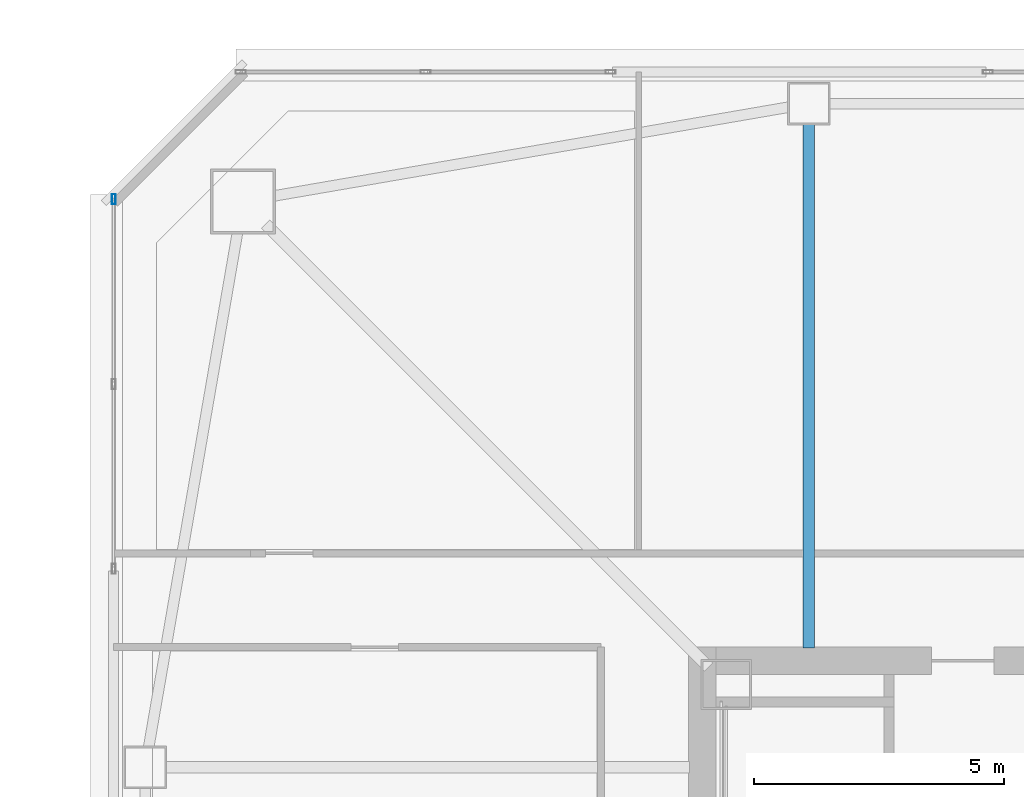
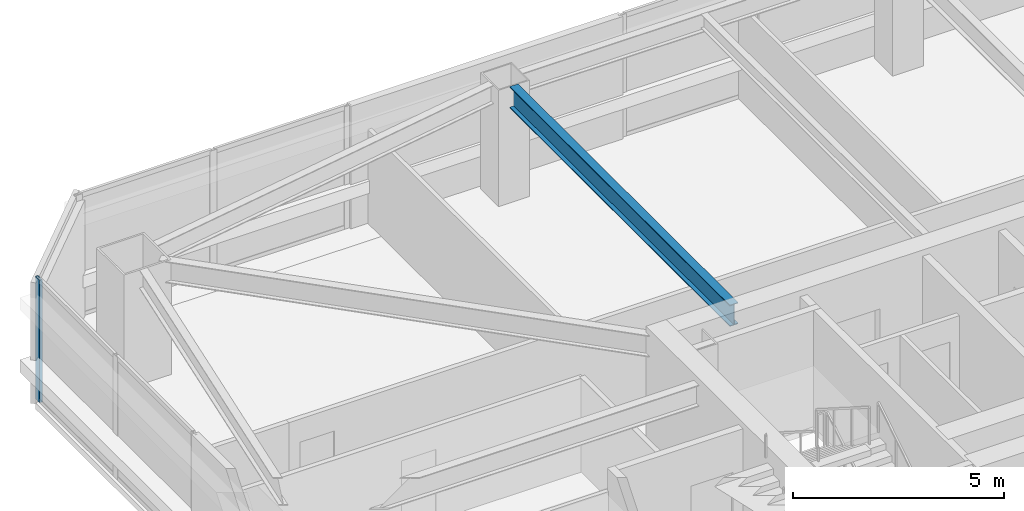
# One storey, part 13 of 48: 1 beam, 1 member, 1 element without a shape of its own.
"""IFC4 building model written with IfcOpenShell, lengths in metres."""

from ifc_helpers import new_model, si_unit, direction, frame, origin, origin_2d, place, context, subcontext, project, spatial, hollow_rectangle, i_section, extrude, material, material_profile, profile_set, type_object, element, aggregate, save


model = new_model("IFC4")

# Units and contexts
model_context = context("Model", 3, precision=1e-05, world=origin(), true_north=direction((0.0, 1.0)))
body_context = subcontext(model_context, "Body", "Model", "MODEL_VIEW")
ifc_project = project(units=[si_unit("LENGTHUNIT", "METRE"), si_unit("AREAUNIT", "SQUARE_METRE"), si_unit("VOLUMEUNIT", "CUBIC_METRE"), si_unit("PLANEANGLEUNIT", "RADIAN"), si_unit("MASSUNIT", "GRAM", prefix="KILO")], contexts=[model_context])

# Site, building, storey
site_placement = place(None, origin())
site = spatial("IfcSite", under=ifc_project, at=site_placement, CompositionType="ELEMENT")
building_placement = place(site_placement, origin())
building = spatial("IfcBuilding", under=site, at=building_placement, Name="Tashvorn Skyway Center", CompositionType="ELEMENT")
storey_placement = place(building_placement, frame((0.0, 0.0, 125.050048828125)))
storey = spatial("IfcBuildingStorey", under=building, at=storey_placement, Name="L33", CompositionType="ELEMENT", Elevation=125.050048828125)

# Beam
ifc_material_1 = material(Name="Steel ASTM A992 Grade 50", Category="steel")
ifc_material_profile_1 = material_profile(ifc_material_1, i_section(OverallWidth=0.22998046875, OverallDepth=0.616943359375, WebThickness=0.01318359375, FlangeThickness=0.022216796875, at=origin_2d()), Name="W24X94")
ifc_profile_set_1 = profile_set([ifc_material_profile_1], Name="Steel ASTM A992 Grade 50")
beam_type = type_object("IfcBeamType", Name="BM-BEAM-W24X94", PredefinedType="BEAM", material=ifc_profile_set_1)
beam_placement = place(storey_placement, frame((36.60009765625, 50.22998046875, 3.0615234375), z_axis=(0.0, -1.0, 0.0), x_axis=(1.0, 0.0, 0.0)))
element("IfcBeam", 1, at=beam_placement, inside=storey, type_object=beam_type, Name="Tower 1 L33 Primary Floor Girder FC-N2", PredefinedType="BEAM", context=body_context, shape_type="SweptSolid", body=[
    extrude(i_section(OverallWidth=0.22998046875, OverallDepth=0.616943359375, WebThickness=0.01318359375, FlangeThickness=0.022216796875, at=origin_2d()), origin(), (0.0, 0.0, 1.0), 10.449951171875),
])

# Curtain wall, member
ifc_material_2 = material(Name="Thermally broken bronze-anodized aluminium 6063-T6", Category="aluminium")
curtain_wall_type = type_object("IfcCurtainWallType", Name="CW-CW-Z3", PredefinedType="NOTDEFINED", material=ifc_material_2)
curtain_wall_placement = place(storey_placement, origin())
curtain_wall = element("IfcCurtainWall", 2, at=curtain_wall_placement, inside=storey, type_object=curtain_wall_type, Name="Tower 1 L33 West Unitised Curtain Wall Glazing Group 3", PredefinedType="NOTDEFINED")
ifc_material_profile_2 = material_profile(ifc_material_2, hollow_rectangle(XDim=0.074951171875, YDim=0.199951171875, WallThickness=0.00439453125, at=origin_2d()), Name="ALU-MULL-75x200")
ifc_profile_set_2 = profile_set([ifc_material_profile_2], Name="Thermally broken bronze-anodized aluminium 6063-T6")
member_type = type_object("IfcMemberType", Name="CWM-CW-Z3", PredefinedType="MULLION", material=ifc_profile_set_2)
member_placement = place(storey_placement, frame((22.719970703125, 48.742431640625, 0.0), z_axis=(0.0, 0.0, 1.0), x_axis=(-1.0, 0.0, 0.0)))
member = element("IfcMember", 3, at=member_placement, type_object=member_type, Name="CW-Z3 mullion 3", PredefinedType="MULLION", context=body_context, shape_type="SweptSolid", body=[
    extrude(hollow_rectangle(XDim=0.074951171875, YDim=0.199951171875, WallThickness=0.00439453125, at=origin_2d()), origin(), (0.0, 0.0, 1.0), 3.550048828125),
])
aggregate(curtain_wall, [member])

save(model, "model.ifc")
